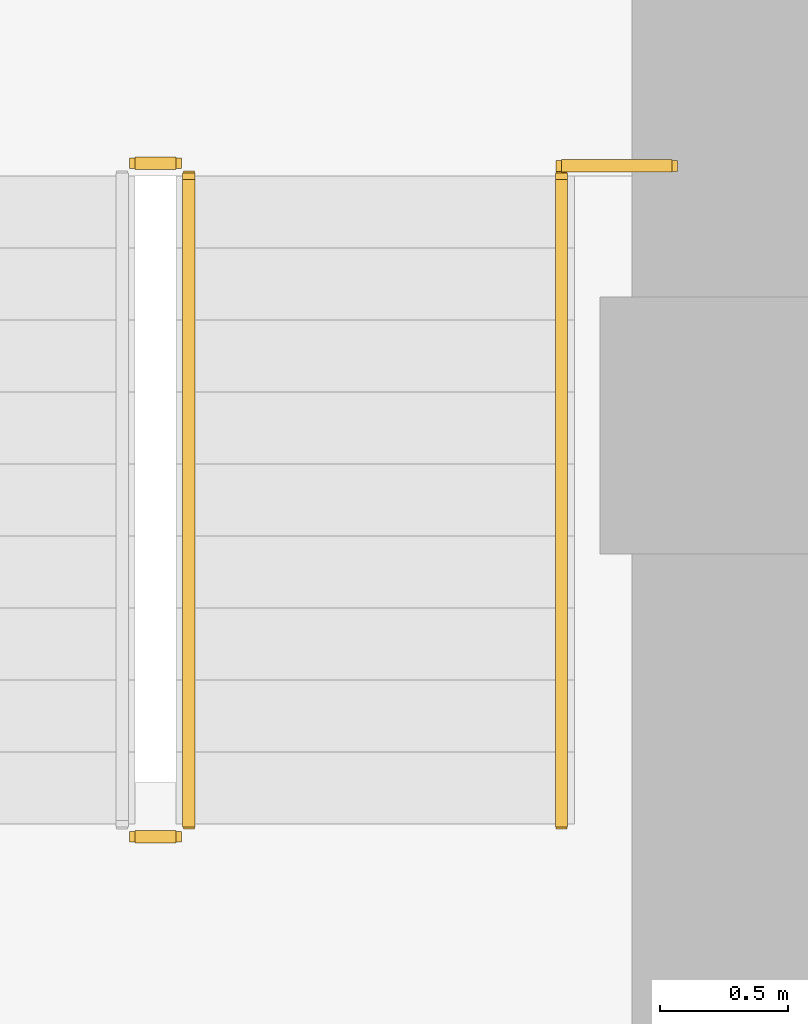
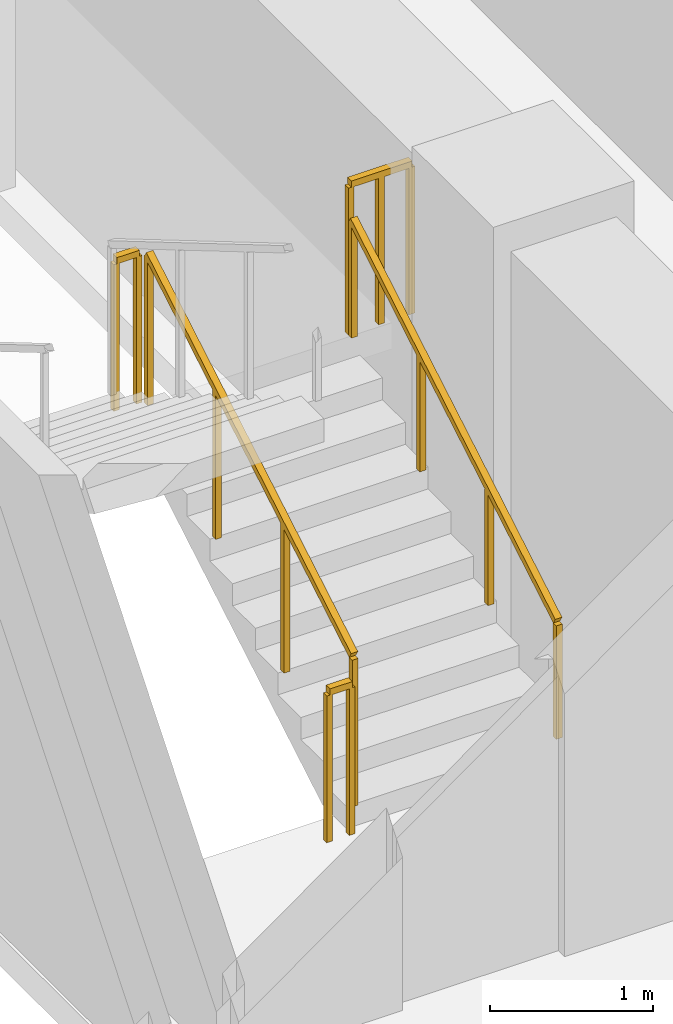
# One storey, part 27 of 28: 5 railings.
"""IFC4 building model written with IfcOpenShell, lengths in metres."""

from ifc_helpers import new_model, si_unit, direction, frame, origin, origin_2d, place, context, subcontext, project, spatial, rectangle, extrude, material, type_object, element, save


model = new_model("IFC4")

# Units and contexts
model_context = context("Model", 3, precision=1e-05, world=origin(), true_north=direction((0.0, 1.0)))
body_context = subcontext(model_context, "Body", "Model", "MODEL_VIEW")
ifc_project = project(units=[si_unit("LENGTHUNIT", "METRE"), si_unit("AREAUNIT", "SQUARE_METRE"), si_unit("VOLUMEUNIT", "CUBIC_METRE"), si_unit("PLANEANGLEUNIT", "RADIAN"), si_unit("MASSUNIT", "GRAM", prefix="KILO")], contexts=[model_context])

# Site, building, storey
site_placement = place(None, origin())
site = spatial("IfcSite", under=ifc_project, at=site_placement, CompositionType="ELEMENT")
building_placement = place(site_placement, origin())
building = spatial("IfcBuilding", under=site, at=building_placement, Name="Zarnakvel Exchange Tower", CompositionType="ELEMENT")
storey_placement = place(building_placement, frame((0.0, 0.0, 103.300048828125)))
storey = spatial("IfcBuildingStorey", under=building, at=storey_placement, Name="L28", CompositionType="ELEMENT", Elevation=103.300048828125)

# Railings
ifc_material_1 = material(Name="Brushed Stainless Steel", Category="steel")
railing_type_1 = type_object("IfcRailingType", Name="HR-01", PredefinedType="HANDRAIL", material=ifc_material_1)
railing_1_placement = place(storey_placement, frame((13.75, 5.050048828125, 0.1650390625)))
element("IfcRailing", 1, at=railing_1_placement, inside=storey, type_object=railing_type_1, Name="L28 ST-02 stair handrail 1", PredefinedType="HANDRAIL", context=body_context, shape_type="SweptSolid", body=[
    extrude(rectangle(XDim=0.048095703125, YDim=0.048095703125, at=origin_2d()), frame((0.0, 0.0, 0.8759765625), z_axis=(0.0, 0.861560626758, 0.507654692109), x_axis=(-1.0, 0.0, 0.0)), (0.0, 0.0, 1.0), 2.925048828125),
    extrude(rectangle(XDim=0.0419921875, YDim=0.0419921875, at=origin_2d()), origin(), (0.0, 0.0, 1.0), 0.851806640625),
    extrude(rectangle(XDim=0.0419921875, YDim=0.0419921875, at=origin_2d()), frame((0.0, 0.840087890625, 0.494873046875)), (0.0, 0.0, 1.0), 0.851806640625),
    extrude(rectangle(XDim=0.0419921875, YDim=0.0419921875, at=origin_2d()), frame((0.0, 1.679931640625, 0.989990234375)), (0.0, 0.0, 1.0), 0.851806640625),
    extrude(rectangle(XDim=0.0419921875, YDim=0.0419921875, at=origin_2d()), frame((0.0, 2.52001953125, 1.48486328125)), (0.0, 0.0, 1.0), 0.851806640625),
])
ifc_material_2 = material(Name="Architectural Bronze Anodised Aluminium", Category="aluminium")
railing_type_2 = type_object("IfcRailingType", Name="SG-01", PredefinedType="GUARDRAIL", material=ifc_material_2)
railing_2_placement = place(storey_placement, frame((12.300048828125, 5.050048828125, 0.1650390625)))
element("IfcRailing", 2, at=railing_2_placement, inside=storey, type_object=railing_type_2, Name="L28 ST-02 stair guard 1", PredefinedType="GUARDRAIL", context=body_context, shape_type="SweptSolid", body=[
    extrude(rectangle(XDim=0.048095703125, YDim=0.048095703125, at=origin_2d()), frame((0.0, 0.0, 1.1259765625), z_axis=(0.0, 0.861560626758, 0.507654692109), x_axis=(-1.0, 0.0, 0.0)), (0.0, 0.0, 1.0), 2.925048828125),
    extrude(rectangle(XDim=0.0419921875, YDim=0.0419921875, at=origin_2d()), origin(), (0.0, 0.0, 1.0), 1.101806640625),
    extrude(rectangle(XDim=0.0419921875, YDim=0.0419921875, at=origin_2d()), frame((0.0, 0.840087890625, 0.494873046875)), (0.0, 0.0, 1.0), 1.101806640625),
    extrude(rectangle(XDim=0.0419921875, YDim=0.0419921875, at=origin_2d()), frame((0.0, 1.679931640625, 0.989990234375)), (0.0, 0.0, 1.0), 1.101806640625),
    extrude(rectangle(XDim=0.0419921875, YDim=0.0419921875, at=origin_2d()), frame((0.0, 2.52001953125, 1.48486328125)), (0.0, 0.0, 1.0), 1.101806640625),
])
for number, where, name in (
    (3, (12.25, 7.6201171875, 1.64990234375), "L28 ST-02 stair guard 2"),
    (4, (12.25, 5.0, 0.0), "L28 ST-02 stair guard 4"),
):
    element("IfcRailing", number, at=place(storey_placement, frame(where)), inside=storey, type_object=railing_type_2, Name=name, PredefinedType="GUARDRAIL", context=body_context, shape_type="SweptSolid", body=[
        extrude(rectangle(XDim=0.048095703125, YDim=0.048095703125, at=origin_2d()), frame((0.0, 0.0, 1.1259765625), z_axis=(-1.0, 0.0, 0.0), x_axis=(0.0, -1.0, 0.0)), (0.0, 0.0, 1.0), 0.159912109375),
        extrude(rectangle(XDim=0.0419921875, YDim=0.0419921875, at=origin_2d()), origin(), (0.0, 0.0, 1.0), 1.101806640625),
        extrude(rectangle(XDim=0.0419921875, YDim=0.0419921875, at=origin_2d()), frame((-0.159912109375, 0.0, 0.0)), (0.0, 0.0, 1.0), 1.101806640625),
    ])
railing_3_placement = place(storey_placement, frame((13.75, 7.610107421875, 1.64990234375)))
element("IfcRailing", 5, at=railing_3_placement, inside=storey, type_object=railing_type_2, Name="L28 ST-02 Landing Slot Guardrail", PredefinedType="GUARDRAIL", context=body_context, shape_type="SweptSolid", body=[
    extrude(rectangle(XDim=0.048095703125, YDim=0.048095703125, at=origin_2d()), frame((0.0, 0.0, 1.1259765625), z_axis=(1.0, 0.0, 0.0), x_axis=(0.0, 1.0, 0.0)), (0.0, 0.0, 1.0), 0.429931640625),
    extrude(rectangle(XDim=0.0419921875, YDim=0.0419921875, at=origin_2d()), origin(), (0.0, 0.0, 1.0), 1.101806640625),
    extrude(rectangle(XDim=0.0419921875, YDim=0.0419921875, at=origin_2d()), frame((0.21484375, 0.0, 0.0)), (0.0, 0.0, 1.0), 1.101806640625),
    extrude(rectangle(XDim=0.0419921875, YDim=0.0419921875, at=origin_2d()), frame((0.429931640625, 0.0, 0.0)), (0.0, 0.0, 1.0), 1.101806640625),
])

save(model, "model.ifc")
